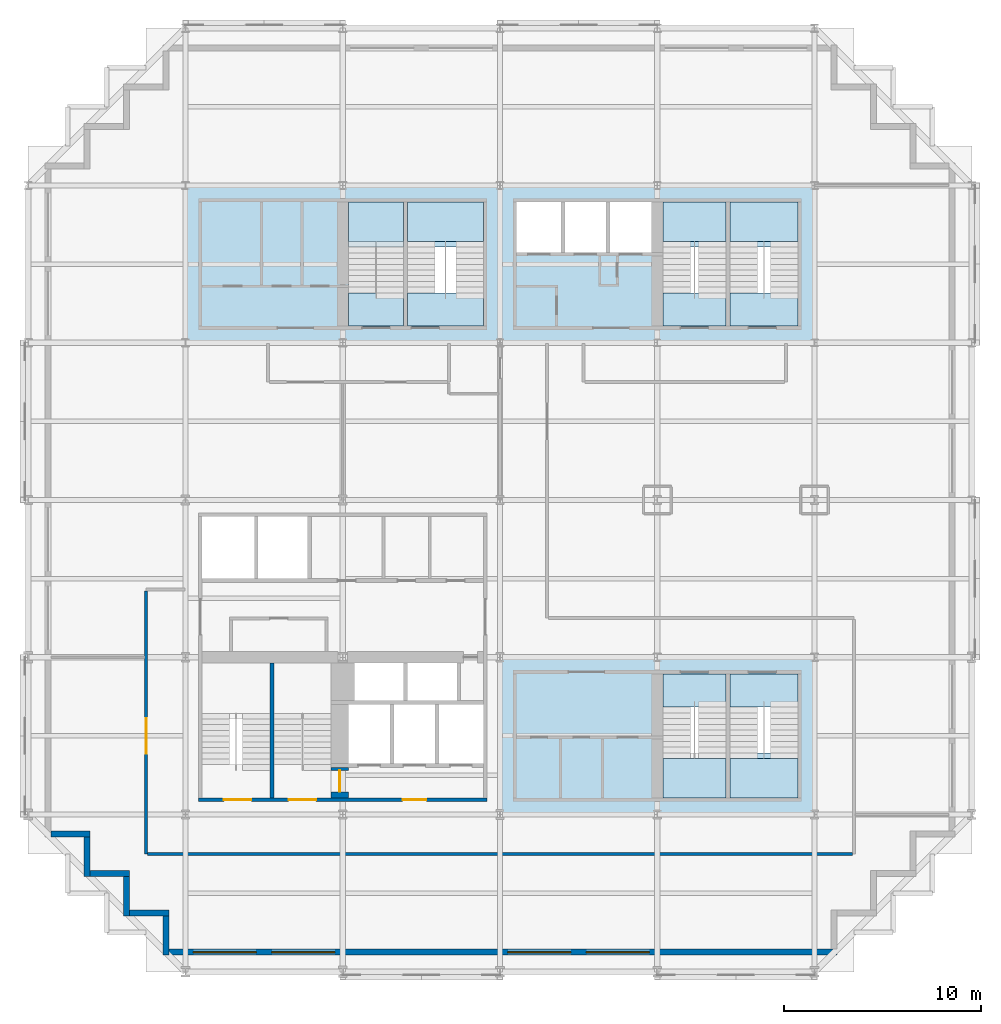
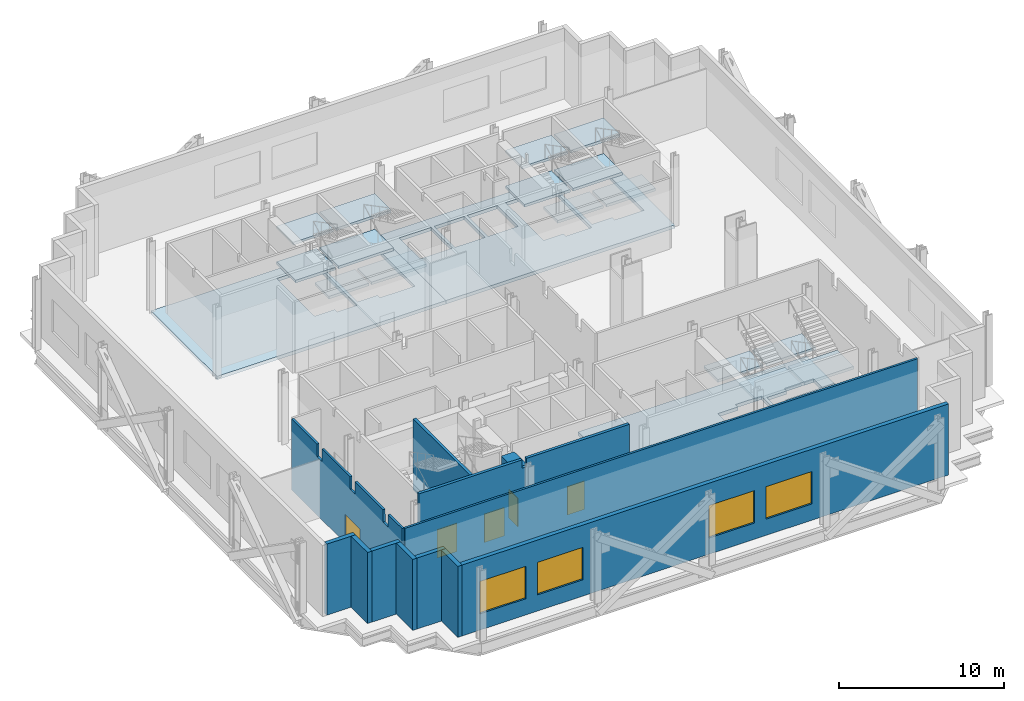
# One storey, part 4 of 10: 20 slabs, 12 walls, 5 doors, 4 windows, 9 openings, 6 elements without a shape of their own.
"""IFC4 building model written with IfcOpenShell, lengths in metres."""

from ifc_helpers import new_model, si_unit, direction, frame, frame_2d, origin, place, context, subcontext, project, spatial, polyline, rectangle, outline, extrude, material, layer, layer_set, type_object, element, fill, aggregate, save


model = new_model("IFC4")

# Units and contexts
model_context = context("Model", 3, precision=1e-05, world=origin(), true_north=direction((0.0, 1.0)))
body_context = subcontext(model_context, "Body", "Model", "MODEL_VIEW")
ifc_project = project(units=[si_unit("LENGTHUNIT", "METRE"), si_unit("AREAUNIT", "SQUARE_METRE"), si_unit("VOLUMEUNIT", "CUBIC_METRE"), si_unit("PLANEANGLEUNIT", "RADIAN"), si_unit("MASSUNIT", "GRAM", prefix="KILO")], contexts=[model_context])

# Site, building, storey
site_placement = place(None, origin())
site = spatial("IfcSite", under=ifc_project, at=site_placement, CompositionType="ELEMENT")
building_placement = place(site_placement, origin())
building = spatial("IfcBuilding", under=site, at=building_placement, Name="Immortelle Media Tower", CompositionType="ELEMENT")
storey_placement = place(building_placement, frame((0.0, 0.0, 29.39990234375)))
storey = spatial("IfcBuildingStorey", under=building, at=storey_placement, Name="L03", CompositionType="ELEMENT", Elevation=29.39990234375)

# Slabs
ifc_material_1 = material(Name="Concrete C50/60", Category="concrete")
ifc_layer_1 = layer(ifc_material_1, 0.25)
ifc_layer_set_1 = layer_set([ifc_layer_1], Name="Concrete C50/60")
slab_type_1 = type_object("IfcSlabType", Name="Core floor slab 250", PredefinedType="FLOOR", material=ifc_layer_set_1)
slab_1_placement = place(storey_placement, frame((0.0, 0.0, -0.25)))
element("IfcSlab", 1, at=slab_1_placement, inside=storey, type_object=slab_type_1, Name="Core floor SE", PredefinedType="FLOOR", context=body_context, shape_type="SweptSolid", body=[
    extrude(outline(polyline([(24.0, 8.0), (40.0, 8.0), (40.0, 16.0), (24.0, 16.0), (24.0, 8.0)]), holes=[polyline([(35.5, 13.72998046875), (35.5, 8.85009765625), (32.300048828125, 8.85009765625), (32.300048828125, 13.43994140625), (33.699951171875, 13.43994140625), (33.699951171875, 13.72998046875), (35.5, 13.72998046875)]), polyline([(39.14990234375, 13.72998046875), (39.14990234375, 8.85009765625), (35.699951171875, 8.85009765625), (35.699951171875, 13.43994140625), (37.10009765625, 13.43994140625), (37.10009765625, 13.72998046875), (39.14990234375, 13.72998046875)])]), origin(), (0.0, 0.0, 1.0), 0.25),
])
slab_2_placement = place(storey_placement, frame((0.0, 0.0, -0.25)))
element("IfcSlab", 2, at=slab_2_placement, inside=storey, type_object=slab_type_1, Name="Core floor NW", PredefinedType="FLOOR", context=body_context, shape_type="SweptSolid", body=[
    extrude(outline(polyline([(8.0, 32.0), (24.0, 32.0), (24.0, 40.0), (8.0, 40.0), (8.0, 32.0)]), holes=[polyline([(16.300048828125, 39.14990234375), (19.10009765625, 39.14990234375), (19.10009765625, 34.27001953125), (17.699951171875, 34.27001953125), (17.699951171875, 34.56005859375), (16.300048828125, 34.56005859375), (16.300048828125, 39.14990234375)]), polyline([(19.300048828125, 39.14990234375), (23.14990234375, 39.14990234375), (23.14990234375, 34.27001953125), (20.699951171875, 34.27001953125), (20.699951171875, 34.56005859375), (19.300048828125, 34.56005859375), (19.300048828125, 39.14990234375)])]), origin(), (0.0, 0.0, 1.0), 0.25),
])
slab_3_placement = place(storey_placement, frame((0.0, 0.0, -0.25)))
element("IfcSlab", 3, at=slab_3_placement, inside=storey, type_object=slab_type_1, Name="Core floor NE", PredefinedType="FLOOR", context=body_context, shape_type="SweptSolid", body=[
    extrude(outline(polyline([(24.0, 32.0), (40.0, 32.0), (40.0, 40.0), (24.0, 40.0), (24.0, 32.0)]), holes=[polyline([(24.85009765625, 36.60009765625), (27.10009765625, 36.60009765625), (27.10009765625, 39.14990234375), (24.85009765625, 39.14990234375), (24.85009765625, 36.60009765625)]), polyline([(27.300048828125, 36.60009765625), (29.39990234375, 36.60009765625), (29.39990234375, 39.14990234375), (27.300048828125, 39.14990234375), (27.300048828125, 36.60009765625)]), polyline([(29.60009765625, 36.60009765625), (31.699951171875, 36.60009765625), (31.699951171875, 39.14990234375), (29.60009765625, 39.14990234375), (29.60009765625, 36.60009765625)]), polyline([(32.300048828125, 39.14990234375), (35.5, 39.14990234375), (35.5, 34.27001953125), (33.699951171875, 34.27001953125), (33.699951171875, 34.56005859375), (32.300048828125, 34.56005859375), (32.300048828125, 39.14990234375)]), polyline([(35.699951171875, 39.14990234375), (39.14990234375, 39.14990234375), (39.14990234375, 34.27001953125), (37.10009765625, 34.27001953125), (37.10009765625, 34.56005859375), (35.699951171875, 34.56005859375), (35.699951171875, 39.14990234375)])]), origin(), (0.0, 0.0, 1.0), 0.25),
])

# Stair, slabs
ifc_material_2 = material(Name="Steel ASTM A992 Gr 50", Category="steel")
stair_type = type_object("IfcStairType", Name="Stair with flights", PredefinedType="DOUBLE_RETURN_STAIR", material=ifc_material_2)
stair_1_placement = place(storey_placement, origin())
stair_1 = element("IfcStair", 4, at=stair_1_placement, inside=storey, type_object=stair_type, Name="Exit stair SE1", PredefinedType="DOUBLE_RETURN_STAIR")
ifc_material_3 = material(Name="Steel ASTM A572 Gr 50", Category="steel")
ifc_layer_2 = layer(ifc_material_3, 0.199951171875)
ifc_layer_set_2 = layer_set([ifc_layer_2], Name="Steel ASTM A572 Gr 50")
slab_type_2 = type_object("IfcSlabType", Name="Stair landing 200", PredefinedType="LANDING", material=ifc_layer_set_2)
slab_4_placement = place(storey_placement, frame((0.0, 0.0, 2.29248046875)))
slab_4 = element("IfcSlab", 5, at=slab_4_placement, type_object=slab_type_2, Name="ST SE1 landing 2", PredefinedType="LANDING", context=body_context, shape_type="SweptSolid", body=[
    extrude(outline(polyline([(32.300048828125, 13.4599609375), (35.5, 13.4599609375), (35.5, 15.14990234375), (32.300048828125, 15.14990234375), (32.300048828125, 13.4599609375)])), origin(), (0.0, 0.0, 1.0), 0.199951171875),
])
slab_5_placement = place(storey_placement, frame((0.0, 0.0, 3.677001953125)))
slab_5 = element("IfcSlab", 6, at=slab_5_placement, type_object=slab_type_2, Name="ST SE1 landing 3", PredefinedType="LANDING", context=body_context, shape_type="SweptSolid", body=[
    extrude(outline(polyline([(32.300048828125, 8.85009765625), (35.5, 8.85009765625), (35.5, 10.85009765625), (32.300048828125, 10.85009765625), (32.300048828125, 8.85009765625)])), origin(), (0.0, 0.0, 1.0), 0.199951171875),
])
aggregate(stair_1, [slab_4, slab_5])

stair_2_placement = place(storey_placement, origin())
stair_2 = element("IfcStair", 7, at=stair_2_placement, inside=storey, type_object=stair_type, Name="Exit stair SE2", PredefinedType="DOUBLE_RETURN_STAIR")
slab_6_placement = place(storey_placement, frame((0.0, 0.0, 1.046142578125)))
slab_6 = element("IfcSlab", 8, at=slab_6_placement, type_object=slab_type_2, Name="ST SE2 landing 1", PredefinedType="LANDING", context=body_context, shape_type="SweptSolid", body=[
    extrude(outline(polyline([(35.699951171875, 8.85009765625), (39.14990234375, 8.85009765625), (39.14990234375, 11.139892578125), (35.699951171875, 11.139892578125), (35.699951171875, 8.85009765625)])), origin(), (0.0, 0.0, 1.0), 0.2001953125),
])
slab_7_placement = place(storey_placement, frame((0.0, 0.0, 2.29248046875)))
slab_7 = element("IfcSlab", 9, at=slab_7_placement, type_object=slab_type_2, Name="ST SE2 landing 2", PredefinedType="LANDING", context=body_context, shape_type="SweptSolid", body=[
    extrude(outline(polyline([(35.699951171875, 13.4599609375), (39.14990234375, 13.4599609375), (39.14990234375, 15.14990234375), (35.699951171875, 15.14990234375), (35.699951171875, 13.4599609375)])), origin(), (0.0, 0.0, 1.0), 0.199951171875),
])
slab_8_placement = place(storey_placement, frame((0.0, 0.0, 3.677001953125)))
slab_8 = element("IfcSlab", 10, at=slab_8_placement, type_object=slab_type_2, Name="ST SE2 landing 3", PredefinedType="LANDING", context=body_context, shape_type="SweptSolid", body=[
    extrude(outline(polyline([(35.699951171875, 8.85009765625), (39.14990234375, 8.85009765625), (39.14990234375, 10.85009765625), (35.699951171875, 10.85009765625), (35.699951171875, 8.85009765625)])), origin(), (0.0, 0.0, 1.0), 0.199951171875),
])
aggregate(stair_2, [slab_6, slab_7, slab_8])

stair_3_placement = place(storey_placement, origin())
stair_3 = element("IfcStair", 11, at=stair_3_placement, inside=storey, type_object=stair_type, Name="Exit stair NW1", PredefinedType="DOUBLE_RETURN_STAIR")
slab_9_placement = place(storey_placement, frame((0.0, 0.0, 1.046142578125)))
slab_9 = element("IfcSlab", 12, at=slab_9_placement, type_object=slab_type_2, Name="ST NW1 landing 1", PredefinedType="LANDING", context=body_context, shape_type="SweptSolid", body=[
    extrude(outline(polyline([(16.300048828125, 36.860107421875), (19.10009765625, 36.860107421875), (19.10009765625, 39.14990234375), (16.300048828125, 39.14990234375), (16.300048828125, 36.860107421875)])), origin(), (0.0, 0.0, 1.0), 0.2001953125),
])
slab_10_placement = place(storey_placement, frame((0.0, 0.0, 2.29248046875)))
slab_10 = element("IfcSlab", 13, at=slab_10_placement, type_object=slab_type_2, Name="ST NW1 landing 2", PredefinedType="LANDING", context=body_context, shape_type="SweptSolid", body=[
    extrude(outline(polyline([(16.300048828125, 32.85009765625), (19.10009765625, 32.85009765625), (19.10009765625, 34.5400390625), (16.300048828125, 34.5400390625), (16.300048828125, 32.85009765625)])), origin(), (0.0, 0.0, 1.0), 0.199951171875),
])
slab_11_placement = place(storey_placement, frame((0.0, 0.0, 3.677001953125)))
slab_11 = element("IfcSlab", 14, at=slab_11_placement, type_object=slab_type_2, Name="ST NW1 landing 3", PredefinedType="LANDING", context=body_context, shape_type="SweptSolid", body=[
    extrude(outline(polyline([(16.300048828125, 37.14990234375), (19.10009765625, 37.14990234375), (19.10009765625, 39.14990234375), (16.300048828125, 39.14990234375), (16.300048828125, 37.14990234375)])), origin(), (0.0, 0.0, 1.0), 0.199951171875),
])
aggregate(stair_3, [slab_9, slab_10, slab_11])

stair_4_placement = place(storey_placement, origin())
stair_4 = element("IfcStair", 15, at=stair_4_placement, inside=storey, type_object=stair_type, Name="Exit stair NW2", PredefinedType="DOUBLE_RETURN_STAIR")
slab_12_placement = place(storey_placement, frame((0.0, 0.0, 1.046142578125)))
slab_12 = element("IfcSlab", 16, at=slab_12_placement, type_object=slab_type_2, Name="ST NW2 landing 1", PredefinedType="LANDING", context=body_context, shape_type="SweptSolid", body=[
    extrude(outline(polyline([(19.300048828125, 36.860107421875), (23.14990234375, 36.860107421875), (23.14990234375, 39.14990234375), (19.300048828125, 39.14990234375), (19.300048828125, 36.860107421875)])), origin(), (0.0, 0.0, 1.0), 0.2001953125),
])
slab_13_placement = place(storey_placement, frame((0.0, 0.0, 2.29248046875)))
slab_13 = element("IfcSlab", 17, at=slab_13_placement, type_object=slab_type_2, Name="ST NW2 landing 2", PredefinedType="LANDING", context=body_context, shape_type="SweptSolid", body=[
    extrude(outline(polyline([(19.300048828125, 32.85009765625), (23.14990234375, 32.85009765625), (23.14990234375, 34.5400390625), (19.300048828125, 34.5400390625), (19.300048828125, 32.85009765625)])), origin(), (0.0, 0.0, 1.0), 0.199951171875),
])
slab_14_placement = place(storey_placement, frame((0.0, 0.0, 3.677001953125)))
slab_14 = element("IfcSlab", 18, at=slab_14_placement, type_object=slab_type_2, Name="ST NW2 landing 3", PredefinedType="LANDING", context=body_context, shape_type="SweptSolid", body=[
    extrude(outline(polyline([(19.300048828125, 37.14990234375), (23.14990234375, 37.14990234375), (23.14990234375, 39.14990234375), (19.300048828125, 39.14990234375), (19.300048828125, 37.14990234375)])), origin(), (0.0, 0.0, 1.0), 0.199951171875),
])
aggregate(stair_4, [slab_12, slab_13, slab_14])

stair_5_placement = place(storey_placement, origin())
stair_5 = element("IfcStair", 19, at=stair_5_placement, inside=storey, type_object=stair_type, Name="Exit stair NE1", PredefinedType="DOUBLE_RETURN_STAIR")
slab_15_placement = place(storey_placement, frame((0.0, 0.0, 1.046142578125)))
slab_15 = element("IfcSlab", 20, at=slab_15_placement, type_object=slab_type_2, Name="ST NE1 landing 1", PredefinedType="LANDING", context=body_context, shape_type="SweptSolid", body=[
    extrude(outline(polyline([(32.300048828125, 36.860107421875), (35.5, 36.860107421875), (35.5, 39.14990234375), (32.300048828125, 39.14990234375), (32.300048828125, 36.860107421875)])), origin(), (0.0, 0.0, 1.0), 0.2001953125),
])
slab_16_placement = place(storey_placement, frame((0.0, 0.0, 2.29248046875)))
slab_16 = element("IfcSlab", 21, at=slab_16_placement, type_object=slab_type_2, Name="ST NE1 landing 2", PredefinedType="LANDING", context=body_context, shape_type="SweptSolid", body=[
    extrude(outline(polyline([(32.300048828125, 32.85009765625), (35.5, 32.85009765625), (35.5, 34.5400390625), (32.300048828125, 34.5400390625), (32.300048828125, 32.85009765625)])), origin(), (0.0, 0.0, 1.0), 0.199951171875),
])
slab_17_placement = place(storey_placement, frame((0.0, 0.0, 3.677001953125)))
slab_17 = element("IfcSlab", 22, at=slab_17_placement, type_object=slab_type_2, Name="ST NE1 landing 3", PredefinedType="LANDING", context=body_context, shape_type="SweptSolid", body=[
    extrude(outline(polyline([(32.300048828125, 37.14990234375), (35.5, 37.14990234375), (35.5, 39.14990234375), (32.300048828125, 39.14990234375), (32.300048828125, 37.14990234375)])), origin(), (0.0, 0.0, 1.0), 0.199951171875),
])
aggregate(stair_5, [slab_15, slab_16, slab_17])

stair_6_placement = place(storey_placement, origin())
stair_6 = element("IfcStair", 23, at=stair_6_placement, inside=storey, type_object=stair_type, Name="Exit stair NE2", PredefinedType="DOUBLE_RETURN_STAIR")
slab_18_placement = place(storey_placement, frame((0.0, 0.0, 1.046142578125)))
slab_18 = element("IfcSlab", 24, at=slab_18_placement, type_object=slab_type_2, Name="ST NE2 landing 1", PredefinedType="LANDING", context=body_context, shape_type="SweptSolid", body=[
    extrude(outline(polyline([(35.699951171875, 36.860107421875), (39.14990234375, 36.860107421875), (39.14990234375, 39.14990234375), (35.699951171875, 39.14990234375), (35.699951171875, 36.860107421875)])), origin(), (0.0, 0.0, 1.0), 0.2001953125),
])
slab_19_placement = place(storey_placement, frame((0.0, 0.0, 2.29248046875)))
slab_19 = element("IfcSlab", 25, at=slab_19_placement, type_object=slab_type_2, Name="ST NE2 landing 2", PredefinedType="LANDING", context=body_context, shape_type="SweptSolid", body=[
    extrude(outline(polyline([(35.699951171875, 32.85009765625), (39.14990234375, 32.85009765625), (39.14990234375, 34.5400390625), (35.699951171875, 34.5400390625), (35.699951171875, 32.85009765625)])), origin(), (0.0, 0.0, 1.0), 0.199951171875),
])
slab_20_placement = place(storey_placement, frame((0.0, 0.0, 3.677001953125)))
slab_20 = element("IfcSlab", 26, at=slab_20_placement, type_object=slab_type_2, Name="ST NE2 landing 3", PredefinedType="LANDING", context=body_context, shape_type="SweptSolid", body=[
    extrude(outline(polyline([(35.699951171875, 37.14990234375), (39.14990234375, 37.14990234375), (39.14990234375, 39.14990234375), (35.699951171875, 39.14990234375), (35.699951171875, 37.14990234375)])), origin(), (0.0, 0.0, 1.0), 0.199951171875),
])
aggregate(stair_6, [slab_18, slab_19, slab_20])

# Wall
ifc_material_4 = material(Name="Fire-rated gypsum board", Category="gypsum")
ifc_layer_3 = layer(ifc_material_4, 0.012451171875)
ifc_material_5 = material(Name="Steel ASTM A653 SS Gr 50 stud frame with mineral wool", Category="steel")
ifc_layer_4 = layer(ifc_material_5, 0.125)
ifc_layer_5 = layer(ifc_material_4, 0.012451171875)
ifc_layer_set_3 = layer_set([ifc_layer_3, ifc_layer_4, ifc_layer_5], Name="Steel ASTM A653 SS Gr 50 stud frame with mineral wool")
wall_type_1 = type_object("IfcWallType", Name="Corridor wall 150", PredefinedType="PARTITIONING", material=ifc_layer_set_3)
wall_1_placement = place(storey_placement, frame((6.074951171875, 6.0, 0.0), z_axis=(0.0, 0.0, 1.0), x_axis=(1.0, 0.0, 0.0)))
element("IfcWall", 27, at=wall_1_placement, inside=storey, type_object=wall_type_1, Name="Partition L03-001", PredefinedType="PARTITIONING", context=body_context, shape_type="SweptSolid", body=[
    extrude(rectangle(XDim=35.85009765625, YDim=0.14990234375, at=frame_2d((17.925048828125, 0.0))), origin(), (0.0, 0.0, 1.0), 5.25),
])

# Wall, opening, door
wall_2_placement = place(storey_placement, frame((6.0, 6.0, 0.0), z_axis=(0.0, 0.0, 1.0), x_axis=(0.0, 1.0, 0.0)))
wall_2 = element("IfcWall", 28, at=wall_2_placement, inside=storey, type_object=wall_type_1, Name="Partition L03-002", PredefinedType="PARTITIONING", context=body_context, shape_type="SweptSolid", body=[
    extrude(outline(polyline([(0.0, 0.0), (13.375, 0.0), (13.375, 5.25), (10.300048828125, 5.25), (10.298095703125, 4.322998046875), (9.701904296875, 4.322998046875), (9.699951171875, 5.25), (6.300048828125, 5.25), (6.298095703125, 4.322998046875), (5.701904296875, 4.322998046875), (5.699951171875, 5.25), (2.300048828125, 5.25), (2.298095703125, 4.322998046875), (1.701904296875, 4.322998046875), (1.699951171875, 5.25), (0.0, 5.25), (0.0, 0.0)])), frame((0.0, 0.074951171875, 0.0), z_axis=(0.0, -1.0, 0.0), x_axis=(1.0, 0.0, 0.0)), (0.0, 0.0, 1.0), 0.14990234375),
])
opening_1_placement = place(wall_2_placement, frame((5.10009765625, 0.0, 0.0)))
opening_1 = element("IfcOpeningElement", 29, at=opening_1_placement, cuts=wall_2, Name="Opening P3-F001", PredefinedType="OPENING", context=body_context, shape_type="SweptSolid", body=[
    extrude(rectangle(XDim=1.800048828125, YDim=2.10009765625, at=frame_2d((0.89990234375, 1.050048828125))), frame((0.0, 0.0849609375, 0.0), z_axis=(0.0, -1.0, 0.0), x_axis=(1.0, 0.0, 0.0)), (0.0, 0.0, 1.0), 0.169921875),
])
ifc_material_6 = material(Name="Timber veneered door leaf, galvanised steel frame ASTM A653", Category="steel")
door_type_1 = type_object("IfcDoorType", Name="Room door 1800 x 2100", OperationType="DOUBLE_DOOR_SINGLE_SWING", PredefinedType="DOOR", material=ifc_material_6)
door_1_placement = place(opening_1_placement, origin())
door_1 = element("IfcDoor", 30, at=door_1_placement, inside=storey, type_object=door_type_1, Name="Door P3-F001", OperationType="DOUBLE_DOOR_SINGLE_SWING", OverallHeight=2.10009765625, OverallWidth=1.800048828125, PredefinedType="DOOR", context=body_context, shape_type="SweptSolid", body=[
    extrude(rectangle(XDim=1.800048828125, YDim=2.10009765625, at=frame_2d((0.89990234375, 1.050048828125))), frame((0.0, 0.02490234375, 0.0), z_axis=(0.0, -1.0, 0.0), x_axis=(1.0, 0.0, 0.0)), (0.0, 0.0, 1.0), 0.050048828125),
])
fill(opening_1, door_1)

# Walls
ifc_material_7 = material(Name="Pale aluminium cladding panel", Category="aluminium")
ifc_layer_6 = layer(ifc_material_7, 0.030029296875)
ifc_layer_7 = layer(ifc_material_5, 0.257568359375)
ifc_material_8 = material(Name="Moisture-resistant gypsum board", Category="gypsum")
ifc_layer_8 = layer(ifc_material_8, 0.012451171875)
ifc_layer_set_4 = layer_set([ifc_layer_6, ifc_layer_7, ifc_layer_8], Name="Steel ASTM A653 SS Gr 50 stud frame with mineral wool")
wall_type_2 = type_object("IfcWallType", Name="Pale metal clad wall 300", PredefinedType="STANDARD", material=ifc_layer_set_4)
for number, where, z_axis, x_axis, name in (
    (31, (1.14990234375, 7.0, 0.0), (0.0, 0.0, 1.0), (1.0, 0.0, 0.0), "Support floor wall L03 S 1"),
    (32, (3.0, 6.85009765625, 0.0), (0.0, 0.0, 1.0), (0.0, -1.0, 0.0), "Support floor wall L03 W 2"),
    (33, (3.14990234375, 5.0, 0.0), (0.0, 0.0, 1.0), (1.0, 0.0, 0.0), "Support floor wall L03 S 3"),
    (34, (5.0, 4.85009765625, 0.0), (0.0, 0.0, 1.0), (0.0, -1.0, 0.0), "Support floor wall L03 W 4"),
    (35, (5.14990234375, 3.0, 0.0), (0.0, 0.0, 1.0), (1.0, 0.0, 0.0), "Support floor wall L03 S 5"),
    (36, (7.0, 2.85009765625, 0.0), (0.0, 0.0, 1.0), (0.0, -1.0, 0.0), "Support floor wall L03 W 6"),
):
    element("IfcWall", number, at=place(storey_placement, frame(where, z_axis=z_axis, x_axis=x_axis)), inside=storey, type_object=wall_type_2, Name=name, PredefinedType="STANDARD", context=body_context, shape_type="SweptSolid", body=[
        extrude(rectangle(XDim=2.0, YDim=0.300048828125, at=frame_2d((1.0, 0.0))), origin(), (0.0, 0.0, 1.0), 5.25),
    ])

# Wall, openings, windows
wall_3_placement = place(storey_placement, frame((7.14990234375, 1.0, 0.0), z_axis=(0.0, 0.0, 1.0), x_axis=(1.0, 0.0, 0.0)))
wall_3 = element("IfcWall", 37, at=wall_3_placement, inside=storey, type_object=wall_type_2, Name="Support floor wall L03 S 7", PredefinedType="STANDARD", context=body_context, shape_type="SweptSolid", body=[
    extrude(rectangle(XDim=34.0, YDim=0.300048828125, at=frame_2d((17.0, 0.0))), origin(), (0.0, 0.0, 1.0), 5.25),
])
opening_2_placement = place(wall_3_placement, frame((1.25, 0.0, 1.199951171875)))
opening_2 = element("IfcOpeningElement", 38, at=opening_2_placement, cuts=wall_3, Name="Opening WE1", PredefinedType="OPENING", context=body_context, shape_type="SweptSolid", body=[
    extrude(rectangle(XDim=3.199951171875, YDim=2.39990234375, at=frame_2d((1.60009765625, 1.199951171875))), frame((0.0, 0.159912109375, 0.0), z_axis=(0.0, -1.0, 0.0), x_axis=(1.0, 0.0, 0.0)), (0.0, 0.0, 1.0), 0.320068359375),
])
opening_3_placement = place(wall_3_placement, frame((5.25, 0.0, 1.199951171875)))
opening_3 = element("IfcOpeningElement", 39, at=opening_3_placement, cuts=wall_3, Name="Opening WE1", PredefinedType="OPENING", context=body_context, shape_type="SweptSolid", body=[
    extrude(rectangle(XDim=3.199951171875, YDim=2.39990234375, at=frame_2d((1.60009765625, 1.199951171875))), frame((0.0, 0.159912109375, 0.0), z_axis=(0.0, -1.0, 0.0), x_axis=(1.0, 0.0, 0.0)), (0.0, 0.0, 1.0), 0.320068359375),
])
opening_4_placement = place(wall_3_placement, frame((17.25, 0.0, 1.199951171875)))
opening_4 = element("IfcOpeningElement", 40, at=opening_4_placement, cuts=wall_3, Name="Opening WE1", PredefinedType="OPENING", context=body_context, shape_type="SweptSolid", body=[
    extrude(rectangle(XDim=3.199951171875, YDim=2.39990234375, at=frame_2d((1.60009765625, 1.199951171875))), frame((0.0, 0.159912109375, 0.0), z_axis=(0.0, -1.0, 0.0), x_axis=(1.0, 0.0, 0.0)), (0.0, 0.0, 1.0), 0.320068359375),
])
opening_5_placement = place(wall_3_placement, frame((21.25, 0.0, 1.199951171875)))
opening_5 = element("IfcOpeningElement", 41, at=opening_5_placement, cuts=wall_3, Name="Opening WE1", PredefinedType="OPENING", context=body_context, shape_type="SweptSolid", body=[
    extrude(rectangle(XDim=3.199951171875, YDim=2.39990234375, at=frame_2d((1.60009765625, 1.199951171875))), frame((0.0, 0.159912109375, 0.0), z_axis=(0.0, -1.0, 0.0), x_axis=(1.0, 0.0, 0.0)), (0.0, 0.0, 1.0), 0.320068359375),
])
ifc_material_9 = material(Name="Aluminium frame, double glazed 6-16-6 low-e", Category="aluminium")
window_type = type_object("IfcWindowType", Name="Ribbon window 3200", PartitioningType="SINGLE_PANEL", PredefinedType="WINDOW", material=ifc_material_9)
window_1_placement = place(opening_2_placement, origin())
window_1 = element("IfcWindow", 42, at=window_1_placement, inside=storey, type_object=window_type, Name="Ribbon window L03-1", OverallHeight=2.39990234375, OverallWidth=3.199951171875, PartitioningType="SINGLE_PANEL", PredefinedType="WINDOW", context=body_context, shape_type="SweptSolid", body=[
    extrude(rectangle(XDim=3.199951171875, YDim=2.39990234375, at=frame_2d((1.60009765625, 1.199951171875))), frame((0.0, 0.030029296875, 0.0), z_axis=(0.0, -1.0, 0.0), x_axis=(1.0, 0.0, 0.0)), (0.0, 0.0, 1.0), 0.06005859375),
])
fill(opening_2, window_1)
window_2_placement = place(opening_3_placement, origin())
window_2 = element("IfcWindow", 43, at=window_2_placement, inside=storey, type_object=window_type, Name="Ribbon window L03-2", OverallHeight=2.39990234375, OverallWidth=3.199951171875, PartitioningType="SINGLE_PANEL", PredefinedType="WINDOW", context=body_context, shape_type="SweptSolid", body=[
    extrude(rectangle(XDim=3.199951171875, YDim=2.39990234375, at=frame_2d((1.60009765625, 1.199951171875))), frame((0.0, 0.030029296875, 0.0), z_axis=(0.0, -1.0, 0.0), x_axis=(1.0, 0.0, 0.0)), (0.0, 0.0, 1.0), 0.06005859375),
])
fill(opening_3, window_2)
window_3_placement = place(opening_4_placement, origin())
window_3 = element("IfcWindow", 44, at=window_3_placement, inside=storey, type_object=window_type, Name="Ribbon window L03-3", OverallHeight=2.39990234375, OverallWidth=3.199951171875, PartitioningType="SINGLE_PANEL", PredefinedType="WINDOW", context=body_context, shape_type="SweptSolid", body=[
    extrude(rectangle(XDim=3.199951171875, YDim=2.39990234375, at=frame_2d((1.60009765625, 1.199951171875))), frame((0.0, 0.030029296875, 0.0), z_axis=(0.0, -1.0, 0.0), x_axis=(1.0, 0.0, 0.0)), (0.0, 0.0, 1.0), 0.06005859375),
])
fill(opening_4, window_3)
window_4_placement = place(opening_5_placement, origin())
window_4 = element("IfcWindow", 45, at=window_4_placement, inside=storey, type_object=window_type, Name="Ribbon window L03-4", OverallHeight=2.39990234375, OverallWidth=3.199951171875, PartitioningType="SINGLE_PANEL", PredefinedType="WINDOW", context=body_context, shape_type="SweptSolid", body=[
    extrude(rectangle(XDim=3.199951171875, YDim=2.39990234375, at=frame_2d((1.60009765625, 1.199951171875))), frame((0.0, 0.030029296875, 0.0), z_axis=(0.0, -1.0, 0.0), x_axis=(1.0, 0.0, 0.0)), (0.0, 0.0, 1.0), 0.06005859375),
])
fill(opening_5, window_4)

# Wall, openings, doors
ifc_material_10 = material(Name="Concrete C60", Category="concrete")
ifc_layer_9 = layer(ifc_material_10, 0.199951171875)
ifc_layer_set_5 = layer_set([ifc_layer_9], Name="Concrete C60")
wall_type_3 = type_object("IfcWallType", Name="Stair shaft wall 200", PredefinedType="PARTITIONING", material=ifc_layer_set_5)
wall_4_placement = place(storey_placement, frame((8.64990234375, 8.75, 0.0), z_axis=(0.0, 0.0, 1.0), x_axis=(1.0, 0.0, 0.0)))
wall_4 = element("IfcWall", 46, at=wall_4_placement, inside=storey, type_object=wall_type_3, Name="Stair shaft wall SW", PredefinedType="PARTITIONING", context=body_context, shape_type="SweptSolid", body=[
    extrude(outline(polyline([(0.0, 0.0), (14.7001953125, 0.0), (14.699951171875, 5.25), (7.51708984375, 5.25), (7.51611328125, 4.632080078125), (7.18408203125, 4.632080078125), (7.18310546875, 5.25), (0.0, 5.25), (0.0, 0.0)])), frame((0.0, 0.10009765625, 0.0), z_axis=(0.0, -1.0, 0.0), x_axis=(1.0, 0.0, 0.0)), (0.0, 0.0, 1.0), 0.199951171875),
])
opening_6_placement = place(wall_4_placement, frame((1.300048828125, 0.0, 0.0)))
opening_6 = element("IfcOpeningElement", 47, at=opening_6_placement, cuts=wall_4, Name="Opening P3-K002", PredefinedType="OPENING", context=body_context, shape_type="SweptSolid", body=[
    extrude(rectangle(XDim=1.39990234375, YDim=2.10009765625, at=frame_2d((0.699951171875, 1.050048828125))), frame((0.0, 0.10986328125, 0.0), z_axis=(0.0, -1.0, 0.0), x_axis=(1.0, 0.0, 0.0)), (0.0, 0.0, 1.0), 0.219970703125),
])
opening_7_placement = place(wall_4_placement, frame((4.60009765625, 0.0, 0.0)))
opening_7 = element("IfcOpeningElement", 48, at=opening_7_placement, cuts=wall_4, Name="Opening P3-K004", PredefinedType="OPENING", context=body_context, shape_type="SweptSolid", body=[
    extrude(rectangle(XDim=1.39990234375, YDim=2.10009765625, at=frame_2d((0.699951171875, 1.050048828125))), frame((0.0, 0.10986328125, 0.0), z_axis=(0.0, -1.0, 0.0), x_axis=(1.0, 0.0, 0.0)), (0.0, 0.0, 1.0), 0.219970703125),
])
opening_8_placement = place(wall_4_placement, frame((10.39990234375, 0.0, 0.0)))
opening_8 = element("IfcOpeningElement", 49, at=opening_8_placement, cuts=wall_4, Name="Opening P3-K009", PredefinedType="OPENING", context=body_context, shape_type="SweptSolid", body=[
    extrude(rectangle(XDim=1.199951171875, YDim=2.10009765625, at=frame_2d((0.60009765625, 1.050048828125))), frame((0.0, 0.10986328125, 0.0), z_axis=(0.0, -1.0, 0.0), x_axis=(1.0, 0.0, 0.0)), (0.0, 0.0, 1.0), 0.219970703125),
])
ifc_material_11 = material(Name="Galvanised steel door leaf and frame ASTM A653", Category="steel")
door_type_2 = type_object("IfcDoorType", Name="Fire-fighting lobby door 1200 x 2100", OperationType="NOTDEFINED", PredefinedType="NOTDEFINED", material=ifc_material_11)
door_2_placement = place(opening_8_placement, origin())
door_2 = element("IfcDoor", 50, at=door_2_placement, inside=storey, type_object=door_type_2, Name="Fire-fighting lobby P3-K009", OperationType="SINGLE_SWING_RIGHT", OverallHeight=2.10009765625, OverallWidth=1.199951171875, PredefinedType="NOTDEFINED", context=body_context, shape_type="SweptSolid", body=[
    extrude(rectangle(XDim=1.199951171875, YDim=2.10009765625, at=frame_2d((0.60009765625, 1.050048828125))), frame((0.0, 0.02490234375, 0.0), z_axis=(0.0, -1.0, 0.0), x_axis=(1.0, 0.0, 0.0)), (0.0, 0.0, 1.0), 0.050048828125),
])
fill(opening_8, door_2)
door_type_3 = type_object("IfcDoorType", Name="Stair door 1400 x 2100", OperationType="DOUBLE_DOOR_SINGLE_SWING", PredefinedType="NOTDEFINED", material=ifc_material_11)
door_3_placement = place(opening_6_placement, origin())
door_3 = element("IfcDoor", 51, at=door_3_placement, inside=storey, type_object=door_type_3, Name="Stair P3-K002", OperationType="DOUBLE_DOOR_SINGLE_SWING", OverallHeight=2.10009765625, OverallWidth=1.39990234375, PredefinedType="NOTDEFINED", context=body_context, shape_type="SweptSolid", body=[
    extrude(rectangle(XDim=1.39990234375, YDim=2.10009765625, at=frame_2d((0.699951171875, 1.050048828125))), frame((0.0, 0.02490234375, 0.0), z_axis=(0.0, -1.0, 0.0), x_axis=(1.0, 0.0, 0.0)), (0.0, 0.0, 1.0), 0.050048828125),
])
fill(opening_6, door_3)
door_4_placement = place(opening_7_placement, origin())
door_4 = element("IfcDoor", 52, at=door_4_placement, inside=storey, type_object=door_type_3, Name="Stair P3-K004", OperationType="DOUBLE_DOOR_SINGLE_SWING", OverallHeight=2.10009765625, OverallWidth=1.39990234375, PredefinedType="NOTDEFINED", context=body_context, shape_type="SweptSolid", body=[
    extrude(rectangle(XDim=1.39990234375, YDim=2.10009765625, at=frame_2d((0.699951171875, 1.050048828125))), frame((0.0, 0.02490234375, 0.0), z_axis=(0.0, -1.0, 0.0), x_axis=(1.0, 0.0, 0.0)), (0.0, 0.0, 1.0), 0.050048828125),
])
fill(opening_7, door_4)

# Wall
wall_5_placement = place(storey_placement, frame((12.39990234375, 8.85009765625, 0.0), z_axis=(0.0, 0.0, 1.0), x_axis=(0.0, 1.0, 0.0)))
element("IfcWall", 53, at=wall_5_placement, inside=storey, type_object=wall_type_3, Name="Stair shaft wall SW", PredefinedType="PARTITIONING", context=body_context, shape_type="SweptSolid", body=[
    extrude(rectangle(XDim=6.849853515625, YDim=0.199951171875, at=frame_2d((3.4248046875, 0.0))), origin(), (0.0, 0.0, 1.0), 5.25),
])

# Wall, opening, door
ifc_layer_10 = layer(ifc_material_10, 0.89990234375)
ifc_layer_set_6 = layer_set([ifc_layer_10], Name="Concrete C60")
wall_type_4 = type_object("IfcWallType", Name="Stair shaft wall 900", PredefinedType="PARTITIONING", material=ifc_layer_set_6)
wall_6_placement = place(storey_placement, frame((15.85009765625, 8.85009765625, 0.0), z_axis=(0.0, 0.0, 1.0), x_axis=(0.0, 1.0, 0.0)))
wall_6 = element("IfcWall", 54, at=wall_6_placement, inside=storey, type_object=wall_type_4, Name="Stair shaft wall SW", PredefinedType="PARTITIONING", context=body_context, shape_type="SweptSolid", body=[
    extrude(rectangle(XDim=1.5498046875, YDim=0.89990234375, at=frame_2d((0.77490234375, 0.0))), origin(), (0.0, 0.0, 1.0), 4.632080078125),
])
opening_9_placement = place(wall_6_placement, frame((0.300048828125, 0.0, 0.0)))
opening_9 = element("IfcOpeningElement", 55, at=opening_9_placement, cuts=wall_6, Name="Opening P3-K005", PredefinedType="OPENING", context=body_context, shape_type="SweptSolid", body=[
    extrude(rectangle(XDim=1.10009765625, YDim=2.10009765625, at=frame_2d((0.550048828125, 1.050048828125))), frame((0.0, 0.4599609375, 0.0), z_axis=(0.0, -1.0, 0.0), x_axis=(1.0, 0.0, 0.0)), (0.0, 0.0, 1.0), 0.919921875),
])
door_type_4 = type_object("IfcDoorType", Name="Stair lobby door 1100 x 2100", OperationType="NOTDEFINED", PredefinedType="NOTDEFINED", material=ifc_material_11)
door_5_placement = place(opening_9_placement, origin())
door_5 = element("IfcDoor", 56, at=door_5_placement, inside=storey, type_object=door_type_4, Name="Stair lobby P3-K005", OperationType="SINGLE_SWING_LEFT", OverallHeight=2.10009765625, OverallWidth=1.10009765625, PredefinedType="NOTDEFINED", context=body_context, shape_type="SweptSolid", body=[
    extrude(rectangle(XDim=1.10009765625, YDim=2.10009765625, at=frame_2d((0.550048828125, 1.050048828125))), frame((0.0, 0.02490234375, 0.0), z_axis=(0.0, -1.0, 0.0), x_axis=(1.0, 0.0, 0.0)), (0.0, 0.0, 1.0), 0.050048828125),
])
fill(opening_9, door_5)

save(model, "model.ifc")
